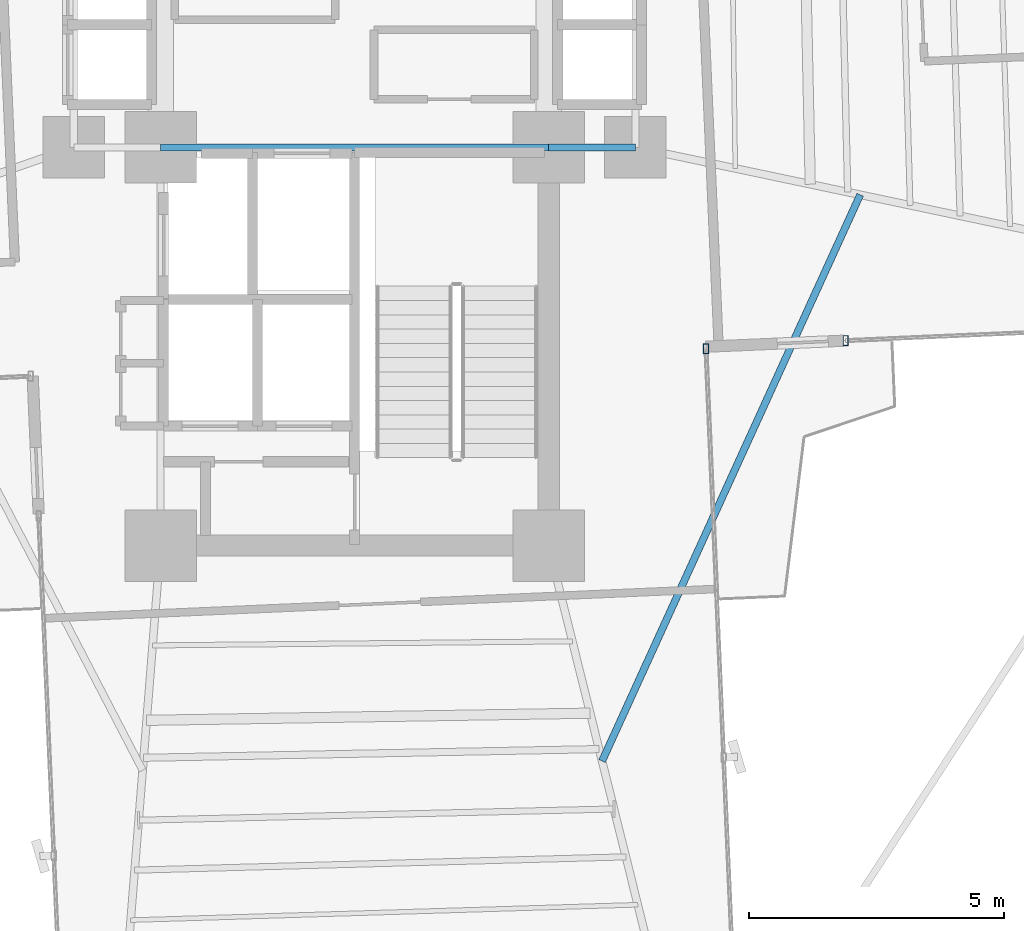
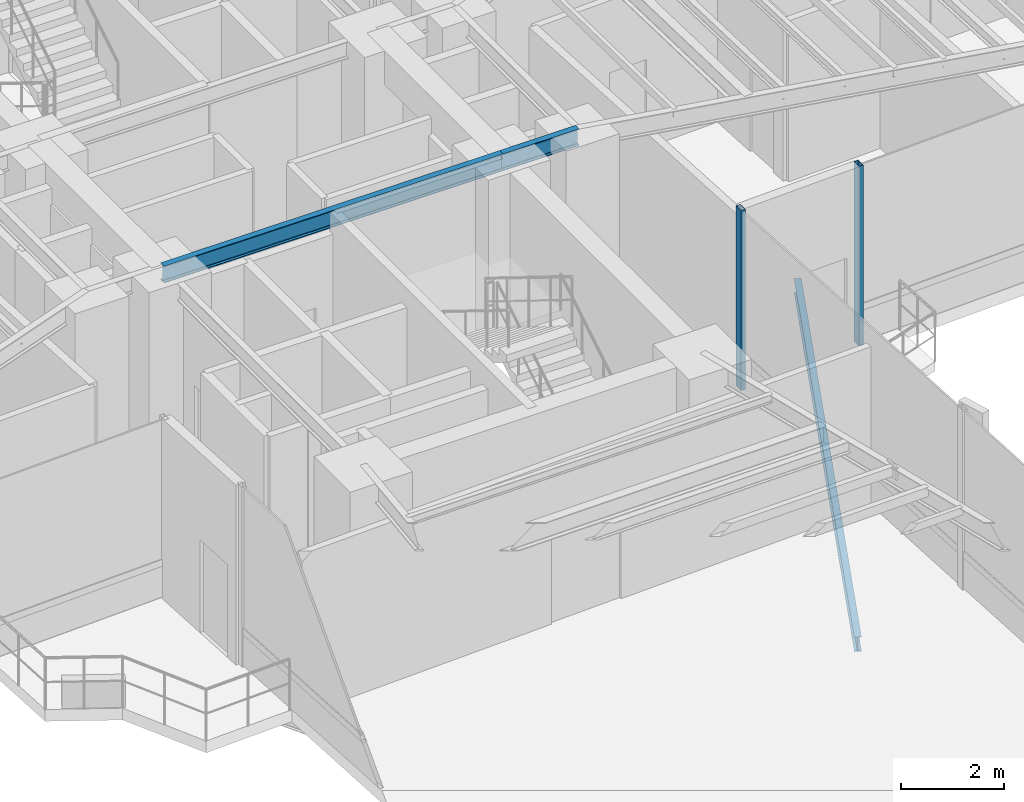
# One storey, part 5 of 23: 3 beams, 2 members, 2 elements without a shape of their own.
"""IFC4 building model written with IfcOpenShell, lengths in metres."""

import ifcopenshell
import ifcopenshell.guid

model = None  # the IFC model being written
_history = None  # IfcOwnerHistory: only IFC2X3 demands one
_inside = {}  # id of a spatial element -> (the spatial element, [elements in it])
_under = {}  # id of a project, library or spatial element -> (it, [spatial elements below it])
_declared = {}  # id of a project -> (the project, [libraries it declares])
_typed = {}  # id of a type object -> (the type object, [elements of that type])
_made_of = {}  # id of a material, layer set ... -> (it, [elements and type objects made of it])


def new_model(schema):
    """Start an empty IFC model of exactly this schema.

    Asked for "IFC4X3", IfcOpenShell would pick the latest addendum, in which some entities
    have other attributes; the version numbers below select the first issue.
    IFC2X3 requires an IfcOwnerHistory on every rooted entity: one is made here for all.
    """
    global model, _history
    if schema == "IFC4X3":
        model = ifcopenshell.file(schema_version=(4, 3, 0, 0))
    else:
        model = ifcopenshell.file(schema=schema)
    _inside.clear()
    _under.clear()
    _declared.clear()
    _typed.clear()
    _made_of.clear()
    _history = None
    if model.schema == "IFC2X3":
        org = make("IfcOrganization", Name="unknown")
        user = make(
            "IfcPersonAndOrganization",
            ThePerson=make("IfcPerson", FamilyName="unknown"),
            TheOrganization=org,
        )
        app = make(
            "IfcApplication",
            ApplicationDeveloper=org,
            Version="unknown",
            ApplicationFullName="unknown",
            ApplicationIdentifier="unknown",
        )
        _history = make(
            "IfcOwnerHistory",
            OwningUser=user,
            OwningApplication=app,
            ChangeAction="ADDED",
            CreationDate=0,
        )
    return model


def make(cls, **values):
    """One entity of the class cls with the attributes given. An attribute that is None is left unset."""
    return model.create_entity(
        cls, **{name: value for name, value in values.items() if value is not None}
    )


def rooted(cls, **values):
    """An entity with a GlobalId (a new one), such as an element, a storey or a relation."""
    return make(cls, GlobalId=ifcopenshell.guid.new(), OwnerHistory=_history, **values)


def si_unit(unit_type, name, prefix=None):
    """IfcSIUnit, for example si_unit("LENGTHUNIT", "METRE", prefix="MILLI")."""
    return make("IfcSIUnit", UnitType=unit_type, Prefix=prefix, Name=name)


def assignment(units):
    """IfcUnitAssignment: the units of a project."""
    return None if units is None else make("IfcUnitAssignment", Units=units)


def point(xyz):
    """IfcCartesianPoint."""
    return None if xyz is None else make("IfcCartesianPoint", Coordinates=xyz)


def direction(xyz):
    """IfcDirection."""
    return None if xyz is None else make("IfcDirection", DirectionRatios=xyz)


def frame(location, z_axis=None, x_axis=None):
    """IfcAxis2Placement3D, a coordinate frame: its origin and axes. An axis left out is left unset."""
    return make(
        "IfcAxis2Placement3D",
        Location=point(location),
        Axis=direction(z_axis),
        RefDirection=direction(x_axis),
    )


def frame_2d(location, x_axis=None):
    """IfcAxis2Placement2D, a coordinate frame in the plane: its origin and x axis."""
    return make(
        "IfcAxis2Placement2D", Location=point(location), RefDirection=direction(x_axis)
    )


def origin():
    """The frame at (0, 0, 0) with its axes left unset."""
    return frame((0.0, 0.0, 0.0))


def origin_2d():
    """The frame at (0, 0) in the plane with its x axis left unset."""
    return frame_2d((0.0, 0.0))


def place(relative_to, where):
    """IfcLocalPlacement: puts the frame where relative to a parent placement (None: the world)."""
    return make(
        "IfcLocalPlacement", PlacementRelTo=relative_to, RelativePlacement=where
    )


def context(
    kind, dimensions, precision=None, world=None, true_north=None, identifier=None
):
    """IfcGeometricRepresentationContext, for example the 3D "Model" context."""
    return make(
        "IfcGeometricRepresentationContext",
        ContextIdentifier=identifier,
        ContextType=kind,
        CoordinateSpaceDimension=dimensions,
        Precision=precision,
        WorldCoordinateSystem=world,
        TrueNorth=true_north,
    )


def subcontext(parent, identifier, kind, view, scale=None):
    """IfcGeometricRepresentationSubContext, for example "Body" below "Model"."""
    return make(
        "IfcGeometricRepresentationSubContext",
        ContextIdentifier=identifier,
        ContextType=kind,
        ParentContext=parent,
        TargetScale=scale,
        TargetView=view,
    )


def project(units=None, contexts=None):
    """IfcProject with its units and contexts."""
    return rooted(
        "IfcProject",
        Name="project",
        RepresentationContexts=contexts,
        UnitsInContext=assignment(units),
    )


def spatial(cls, under=None, at=None, **own):
    """A site, building, storey or space (cls), placed at a placement, below another one or the project."""
    s = rooted(cls, ObjectPlacement=at, **own)
    if under is not None:
        _under.setdefault(under.id(), (under, []))[1].append(s)
    return s


def profile(cls, at=None, kind="AREA", **sizes):
    """A parametric profile (cls). Its sizes go by their IFC names, for example OverallWidth=200.0."""
    return make(cls, ProfileType=kind, Position=at, **sizes)


def hollow_rectangle(**sizes):
    """IfcRectangleHollowProfileDef."""
    return profile("IfcRectangleHollowProfileDef", **sizes)


def i_section(**sizes):
    """IfcIShapeProfileDef."""
    return profile("IfcIShapeProfileDef", **sizes)


def extrude(swept, where, along, depth):
    """IfcExtrudedAreaSolid: the profile swept, set in the frame where, extruded along a direction by depth."""
    return make(
        "IfcExtrudedAreaSolid",
        SweptArea=swept,
        Position=where,
        ExtrudedDirection=direction(along),
        Depth=depth,
    )


def shape(context_of_items, identifier, shape_type, items):
    """IfcShapeRepresentation: the items that make up one representation, for example the "Body"."""
    return make(
        "IfcShapeRepresentation",
        ContextOfItems=context_of_items,
        RepresentationIdentifier=identifier,
        RepresentationType=shape_type,
        Items=items,
    )


def source(mapping_origin, context_of_items, identifier, shape_type, items):
    """IfcRepresentationMap: a shape defined once, which mapped items show again and again."""
    return make(
        "IfcRepresentationMap",
        MappingOrigin=mapping_origin,
        MappedRepresentation=shape(context_of_items, identifier, shape_type, items),
    )


def transform(
    local_origin,
    x_axis=None,
    y_axis=None,
    z_axis=None,
    scale=None,
    scale2=None,
    scale3=None,
    uniform=True,
):
    """IfcCartesianTransformationOperator3D, or its non-uniform kind. x_axis, y_axis, z_axis: its Axis1, 2, 3."""
    if uniform:
        return make(
            "IfcCartesianTransformationOperator3D",
            Axis1=direction(x_axis),
            Axis2=direction(y_axis),
            LocalOrigin=point(local_origin),
            Scale=scale,
            Axis3=direction(z_axis),
        )
    return make(
        "IfcCartesianTransformationOperator3DnonUniform",
        Axis1=direction(x_axis),
        Axis2=direction(y_axis),
        LocalOrigin=point(local_origin),
        Scale=scale,
        Axis3=direction(z_axis),
        Scale2=scale2,
        Scale3=scale3,
    )


def mapped(mapping_source, mapping_target):
    """IfcMappedItem: shows the shape of a source again, moved by a transform."""
    return make(
        "IfcMappedItem", MappingSource=mapping_source, MappingTarget=mapping_target
    )


def material(Name=None, Category=None):
    """IfcMaterial."""
    return make("IfcMaterial", Name=Name, Category=Category)


def material_profile(
    of_material, cross_section, Name=None, Category=None, Priority=None
):
    """IfcMaterialProfile: a cross section and its material."""
    return make(
        "IfcMaterialProfile",
        Name=Name,
        Material=of_material,
        Profile=cross_section,
        Priority=Priority,
        Category=Category,
    )


def profile_set(profiles, Name=None, composite=None):
    """IfcMaterialProfileSet."""
    return make(
        "IfcMaterialProfileSet",
        Name=Name,
        MaterialProfiles=profiles,
        CompositeProfile=composite,
    )


def made_of(thing, what):
    """Note that an element or type object is made of a material, layer set ...; save() writes the relation."""
    if what is not None:
        _made_of.setdefault(what.id(), (what, []))[1].append(thing)
    return thing


def type_object(cls, material=None, **own):
    """A type object (cls), such as IfcWallType, which elements share."""
    return made_of(rooted(cls, **own), material)


def element(
    cls,
    number,
    at=None,
    inside=None,
    cuts=None,
    type_object=None,
    material=None,
    context=None,
    identifier="Body",
    shape_type=None,
    held_by="IfcProductDefinitionShape",
    body=None,
    shapes=None,
    **own,
):
    """One element of the class cls, such as IfcWall. Its Tag is "e" and its number.

    at: its placement. inside: the storey or other place that contains it. cuts: it is an
    opening in that element (IfcRelVoidsElement). A single representation is given by context,
    identifier, shape_type and body (its items); several are given by shapes. held_by: the class
    of the entity that holds the representations. save() writes the other relations.
    """
    e = rooted(cls, Tag="e%d" % number, ObjectPlacement=at, **own)
    if body is not None:
        shapes = [shape(context, identifier, shape_type, body)]
    if shapes is not None:
        e.Representation = make(held_by, Representations=shapes)
    if inside is not None:
        _inside.setdefault(inside.id(), (inside, []))[1].append(e)
    if cuts is not None:
        rooted(
            "IfcRelVoidsElement", RelatingBuildingElement=cuts, RelatedOpeningElement=e
        )
    if type_object is not None:
        _typed.setdefault(type_object.id(), (type_object, []))[1].append(e)
    return made_of(e, material)


def aggregate(whole, parts):
    """IfcRelAggregates: a whole, such as a stair, and the parts it consists of."""
    return rooted("IfcRelAggregates", RelatingObject=whole, RelatedObjects=parts)


def save(model, path):
    """Write the relations noted so far, then the file.

    IfcRelAggregates (storeys below a building ...), IfcRelContainedInSpatialStructure (elements
    in a storey), IfcRelDefinesByType, IfcRelAssociatesMaterial and IfcRelDeclares: one each for
    every whole, place, type object, material and project.
    """
    for whole, parts in _under.values():
        aggregate(whole, parts)
    for where, things in _inside.values():
        rooted(
            "IfcRelContainedInSpatialStructure",
            RelatedElements=things,
            RelatingStructure=where,
        )
    for kind, things in _typed.values():
        rooted("IfcRelDefinesByType", RelatedObjects=things, RelatingType=kind)
    for what, things in _made_of.values():
        rooted("IfcRelAssociatesMaterial", RelatedObjects=things, RelatingMaterial=what)
    for by, libraries in _declared.values():
        rooted("IfcRelDeclares", RelatingContext=by, RelatedDefinitions=libraries)
    model.write(path)


model = new_model("IFC4")

# Units and contexts
model_context = context("Model", 3, precision=1e-05, world=origin(), true_north=direction((0.0, 1.0)))
body_context = subcontext(model_context, "Body", "Model", "MODEL_VIEW")
ifc_project = project(units=[si_unit("LENGTHUNIT", "METRE"), si_unit("AREAUNIT", "SQUARE_METRE"), si_unit("VOLUMEUNIT", "CUBIC_METRE"), si_unit("PLANEANGLEUNIT", "RADIAN"), si_unit("MASSUNIT", "GRAM", prefix="KILO")], contexts=[model_context])

# Site, building, storey
site_placement = place(None, origin())
site = spatial("IfcSite", under=ifc_project, at=site_placement, CompositionType="ELEMENT")
building_placement = place(site_placement, origin())
building = spatial("IfcBuilding", under=site, at=building_placement, Name="Sahyath Konkavel Grand Hotel", CompositionType="ELEMENT")
storey_placement = place(building_placement, frame((0.0, 0.0, 106.949951171875)))
storey = spatial("IfcBuildingStorey", under=building, at=storey_placement, Name="L29", CompositionType="ELEMENT", Elevation=106.949951171875)

# Beams
ifc_material_1 = material(Name="Steel E350", Category="steel")
ifc_material_profile_1 = material_profile(ifc_material_1, i_section(OverallWidth=0.139892578125, OverallDepth=0.39990234375, WebThickness=0.0087890625, FlangeThickness=0.01611328125, FilletRadius=0.013916015625, at=origin_2d()), Name="ISMB 400")
ifc_profile_set_1 = profile_set([ifc_material_profile_1], Name="Steel E350")
beam_type_1 = type_object("IfcBeamType", Name="BM-ISMB400", PredefinedType="BEAM", material=ifc_profile_set_1)
shared_shape_1 = source(origin(), body_context, "Body", "SweptSolid", [
    extrude(i_section(OverallWidth=0.139892578125, OverallDepth=0.39990234375, WebThickness=0.0087890625, FlangeThickness=0.01611328125, FilletRadius=0.013916015625, at=origin_2d()), origin(), (0.0, 0.0, 1.0), 7.60009765625),
])
beam_1_placement = place(storey_placement, frame((-3.800048828125, -2.39990234375, 4.06005859375), z_axis=(1.0, 0.0, 0.0), x_axis=(0.0, 1.0, 0.0)))
element("IfcBeam", 1, at=beam_1_placement, inside=storey, type_object=beam_type_1, Name="str:bm:L29:SC-N", PredefinedType="BEAM", context=body_context, shape_type="MappedRepresentation", body=[
    mapped(shared_shape_1, transform((0.0, 0.0, 0.0), scale=1.0)),
])
shared_shape_2 = source(origin(), body_context, "Body", "SweptSolid", [
    extrude(i_section(OverallWidth=0.139892578125, OverallDepth=0.39990234375, WebThickness=0.0087890625, FlangeThickness=0.01611328125, FilletRadius=0.013916015625, at=origin_2d()), origin(), (0.0, 0.0, 1.0), 1.699951171875),
])
beam_2_placement = place(storey_placement, frame((3.800048828125, -2.39990234375, 4.06005859375), z_axis=(1.0, 0.0, 0.0), x_axis=(0.0, 1.0, 0.0)))
element("IfcBeam", 2, at=beam_2_placement, inside=storey, type_object=beam_type_1, Name="str:bm:L29:HB-SE", PredefinedType="BEAM", context=body_context, shape_type="MappedRepresentation", body=[
    mapped(shared_shape_2, transform((0.0, 0.0, 0.0), scale=1.0)),
])

# Curtain wall, member
ifc_material_2 = material(Name="Anodised Bronze Aluminium & Low-E Glazing", Category="aluminium")
curtain_wall_type = type_object("IfcCurtainWallType", Name="CW-SKYLOBBY", PredefinedType="NOTDEFINED", material=ifc_material_2)
curtain_wall_1_placement = place(storey_placement, origin())
curtain_wall_1 = element("IfcCurtainWall", 3, at=curtain_wall_1_placement, inside=storey, type_object=curtain_wall_type, Name="L29 Unitised Curtain Wall F0", PredefinedType="NOTDEFINED")
ifc_material_3 = material(Name="Anodised Bronze Aluminium", Category="aluminium")
ifc_material_profile_2 = material_profile(ifc_material_3, hollow_rectangle(XDim=0.10009765625, YDim=0.199951171875, WallThickness=0.008056640625, at=origin_2d()), Name="RHS 200x100x8")
ifc_profile_set_2 = profile_set([ifc_material_profile_2], Name="Anodised Bronze Aluminium")
member_type = type_object("IfcMemberType", Name="CW-MUL-200", PredefinedType="MULLION", material=ifc_profile_set_2)
shared_shape_3 = source(origin(), body_context, "Body", "SweptSolid", [
    extrude(hollow_rectangle(XDim=0.10009765625, YDim=0.199951171875, WallThickness=0.008056640625, at=origin_2d()), origin(), (0.0, 0.0, 1.0), 4.260009765625),
])
member_1_placement = place(storey_placement, frame((9.618896484375, -6.186279296875, 0.0), z_axis=(0.0, 0.0, 1.0), x_axis=(1.0, 0.0, 0.0)))
member_1 = element("IfcMember", 4, at=member_1_placement, type_object=member_type, Name="L29 Curtain Wall Mullion F0-0", PredefinedType="MULLION", context=body_context, shape_type="MappedRepresentation", body=[
    mapped(shared_shape_3, transform((0.0, 0.0, 0.0), scale=1.0)),
])
aggregate(curtain_wall_1, [member_1])

curtain_wall_2_placement = place(storey_placement, origin())
curtain_wall_2 = element("IfcCurtainWall", 5, at=curtain_wall_2_placement, inside=storey, type_object=curtain_wall_type, Name="L29 Unitised Curtain Wall F31", PredefinedType="NOTDEFINED")
member_2_placement = place(storey_placement, frame((6.88330078125, -6.345703125, 0.0), z_axis=(0.0, 0.0, 1.0), x_axis=(1.0, 0.0, 0.0)))
member_2 = element("IfcMember", 6, at=member_2_placement, type_object=member_type, Name="L29 Curtain Wall Mullion F31-2", PredefinedType="MULLION", context=body_context, shape_type="MappedRepresentation", body=[
    mapped(shared_shape_3, transform((0.0, 0.0, 0.0), scale=1.0)),
])
aggregate(curtain_wall_2, [member_2])

# Beam
ifc_material_profile_3 = material_profile(ifc_material_1, i_section(OverallWidth=0.139892578125, OverallDepth=0.35009765625, WebThickness=0.008056640625, FlangeThickness=0.01416015625, FilletRadius=0.013916015625, at=origin_2d()), Name="ISMB 350")
ifc_profile_set_3 = profile_set([ifc_material_profile_3], Name="Steel E350")
beam_type_2 = type_object("IfcBeamType", Name="BM-BALC-CANT", PredefinedType="BEAM", material=ifc_profile_set_3)
shared_shape_4 = source(origin(), body_context, "Body", "SweptSolid", [
    extrude(i_section(OverallWidth=0.139892578125, OverallDepth=0.35009765625, WebThickness=0.008056640625, FlangeThickness=0.01416015625, FilletRadius=0.013916015625, at=origin_2d()), origin(), (0.0, 0.0, 1.0), 12.190673828125),
])
beam_3_placement = place(storey_placement, frame((4.8486328125, -14.422119140625, -0.474853515625), z_axis=(0.414712580086, 0.909952458054, 0.0), x_axis=(-0.909952458054, 0.414712580086, 0.0)))
element("IfcBeam", 7, at=beam_3_placement, inside=storey, type_object=beam_type_2, Name="L29 Balcony Cantilever Support Beam SE", PredefinedType="BEAM", context=body_context, shape_type="MappedRepresentation", body=[
    mapped(shared_shape_4, transform((0.0, 0.0, 0.0), scale=1.0)),
])

save(model, "model.ifc")
